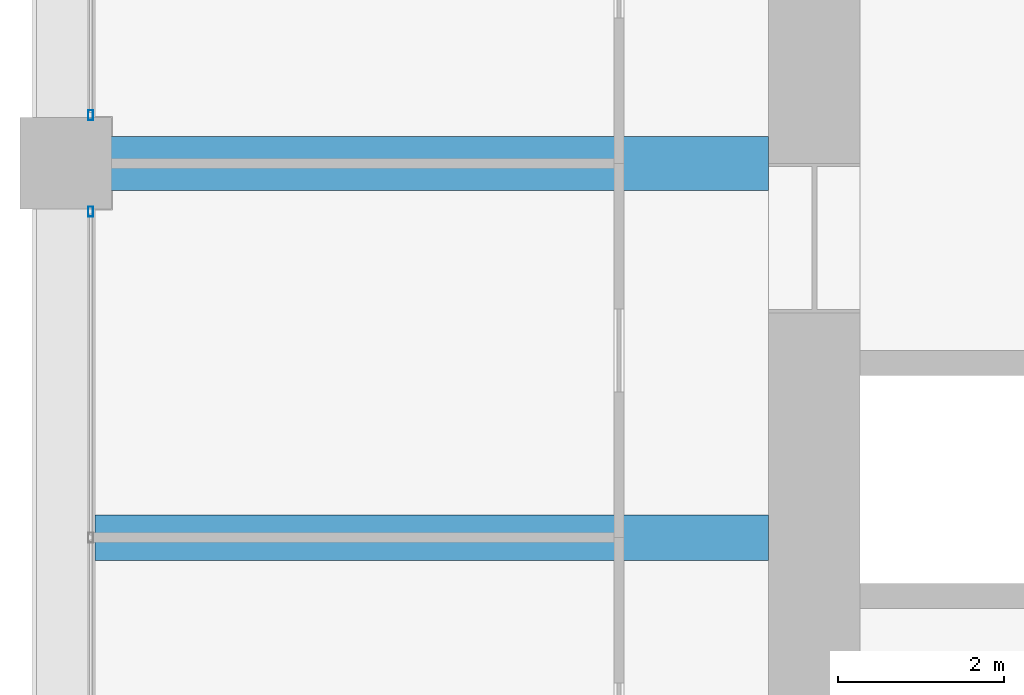
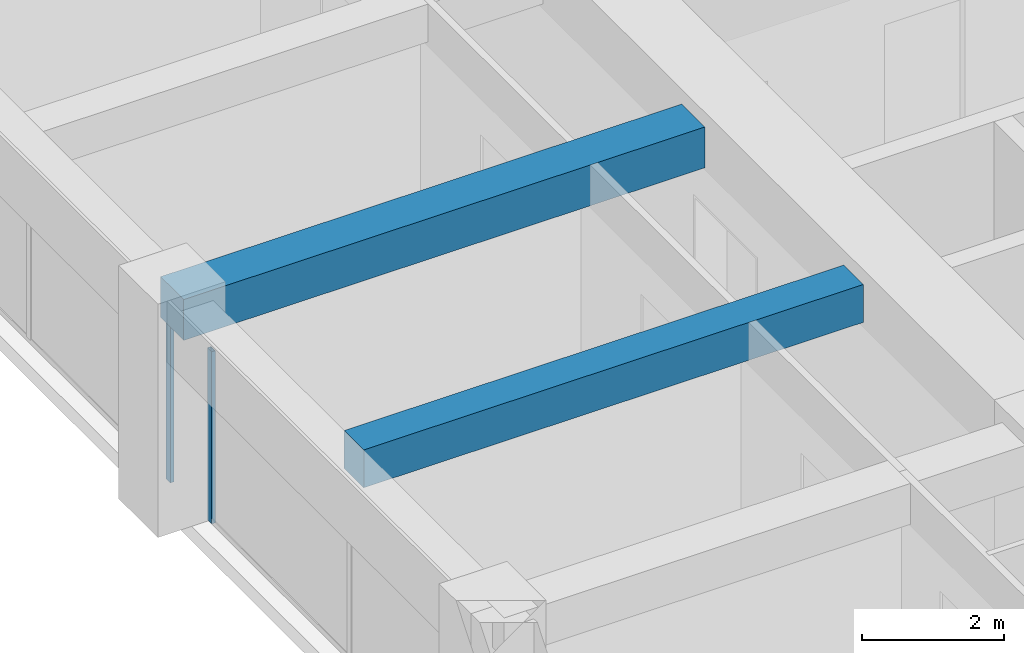
# One storey, part 15 of 44: 2 beams, 2 members, 2 elements without a shape of their own.
"""IFC4 building model written with IfcOpenShell, lengths in metres."""

from ifc_helpers import new_model, si_unit, direction, frame, origin, origin_2d, place, context, subcontext, project, spatial, rectangle, hollow_rectangle, extrude, material, material_profile, profile_set, type_object, element, aggregate, save


model = new_model("IFC4")

# Units and contexts
model_context = context("Model", 3, precision=1e-05, world=origin(), true_north=direction((0.0, 1.0)))
body_context = subcontext(model_context, "Body", "Model", "MODEL_VIEW")
ifc_project = project(units=[si_unit("LENGTHUNIT", "METRE"), si_unit("AREAUNIT", "SQUARE_METRE"), si_unit("VOLUMEUNIT", "CUBIC_METRE"), si_unit("PLANEANGLEUNIT", "RADIAN"), si_unit("MASSUNIT", "GRAM", prefix="KILO")], contexts=[model_context])

# Site, building, storey
site_placement = place(None, origin())
site = spatial("IfcSite", under=ifc_project, at=site_placement, CompositionType="ELEMENT")
building_placement = place(site_placement, origin())
building = spatial("IfcBuilding", under=site, at=building_placement, Name="Zorevar Civic Tower", CompositionType="ELEMENT")
storey_placement = place(building_placement, frame((0.0, 0.0, 287.39990234375)))
storey = spatial("IfcBuildingStorey", under=building, at=storey_placement, Name="L70", CompositionType="ELEMENT", Elevation=287.39990234375)

# Beams
ifc_material_1 = material(Name="Concrete C50/60", Category="concrete")
ifc_material_profile_1 = material_profile(ifc_material_1, rectangle(XDim=0.550048828125, YDim=0.64990234375, at=origin_2d()), Name="RC 550x650")
ifc_profile_set_1 = profile_set([ifc_material_profile_1], Name="Concrete C50/60")
beam_type_1 = type_object("IfcBeamType", Name="Beam RC 550x650", PredefinedType="BEAM", material=ifc_profile_set_1)
beam_1_placement = place(storey_placement, frame((9.35009765625, 22.5, 3.425048828125), z_axis=(1.0, 0.0, 0.0), x_axis=(0.0, 1.0, 0.0)))
element("IfcBeam", 1, at=beam_1_placement, inside=storey, type_object=beam_type_1, Name="Secondary beam L71", PredefinedType="BEAM", context=body_context, shape_type="SweptSolid", body=[
    extrude(rectangle(XDim=0.550048828125, YDim=0.64990234375, at=origin_2d()), origin(), (0.0, 0.0, 1.0), 8.099853515625),
])
ifc_material_2 = material(Name="Concrete C50/60", Category="concrete")
ifc_material_profile_2 = material_profile(ifc_material_2, rectangle(XDim=0.64990234375, YDim=0.699951171875, at=origin_2d()), Name="RC 650x700")
ifc_profile_set_2 = profile_set([ifc_material_profile_2], Name="Concrete C50/60")
beam_type_2 = type_object("IfcBeamType", Name="Beam RC 650x700", PredefinedType="BEAM", material=ifc_profile_set_2)
beam_2_placement = place(storey_placement, frame((9.0, 27.0, 3.400146484375), z_axis=(1.0, 0.0, 0.0), x_axis=(0.0, 1.0, 0.0)))
element("IfcBeam", 2, at=beam_2_placement, inside=storey, type_object=beam_type_2, Name="Girder L71", PredefinedType="BEAM", context=body_context, shape_type="SweptSolid", body=[
    extrude(rectangle(XDim=0.64990234375, YDim=0.699951171875, at=origin_2d()), origin(), (0.0, 0.0, 1.0), 8.449951171875),
])

# Curtain wall, member
ifc_material_3 = material(Name="Dark grey solar-control glass in black aluminium frame", Category="aluminium")
curtain_wall_type = type_object("IfcCurtainWallType", Name="Curtain wall CW5 top zone", PredefinedType="NOTDEFINED", material=ifc_material_3)
curtain_wall_1_placement = place(storey_placement, origin())
curtain_wall_1 = element("IfcCurtainWall", 3, at=curtain_wall_1_placement, inside=storey, type_object=curtain_wall_type, Name="CW5 L70", PredefinedType="NOTDEFINED")
ifc_material_4 = material(Name="Aluminium, black anodised", Category="aluminium")
ifc_material_profile_3 = material_profile(ifc_material_4, hollow_rectangle(XDim=0.06005859375, YDim=0.1201171875, WallThickness=0.0029296875, at=origin_2d()), Name="AL 120x60x3")
ifc_profile_set_3 = profile_set([ifc_material_profile_3], Name="Aluminium, black anodised")
member_type = type_object("IfcMemberType", Name="CW5 mullion AL 120x60x3", PredefinedType="MULLION", material=ifc_profile_set_3)
member_1_placement = place(storey_placement, frame((9.300048828125, 26.419921875, 0.0), z_axis=(0.0, 0.0, 1.0), x_axis=(-1.0, 0.0, 0.0)))
member_1 = element("IfcMember", 4, at=member_1_placement, type_object=member_type, Name="CW5 mullion 3", PredefinedType="MULLION", context=body_context, shape_type="SweptSolid", body=[
    extrude(hollow_rectangle(XDim=0.06005859375, YDim=0.1201171875, WallThickness=0.0029296875, at=origin_2d()), origin(), (0.0, 0.0, 1.0), 2.9501953125),
])
aggregate(curtain_wall_1, [member_1])

curtain_wall_2_placement = place(storey_placement, origin())
curtain_wall_2 = element("IfcCurtainWall", 5, at=curtain_wall_2_placement, inside=storey, type_object=curtain_wall_type, Name="CW5 L70", PredefinedType="NOTDEFINED")
member_2_placement = place(storey_placement, frame((9.300048828125, 27.580078125, 0.0), z_axis=(0.0, 0.0, 1.0), x_axis=(-1.0, 0.0, 0.0)))
member_2 = element("IfcMember", 6, at=member_2_placement, type_object=member_type, Name="CW5 mullion 1", PredefinedType="MULLION", context=body_context, shape_type="SweptSolid", body=[
    extrude(hollow_rectangle(XDim=0.06005859375, YDim=0.1201171875, WallThickness=0.0029296875, at=origin_2d()), origin(), (0.0, 0.0, 1.0), 2.9501953125),
])
aggregate(curtain_wall_2, [member_2])

save(model, "model.ifc")
